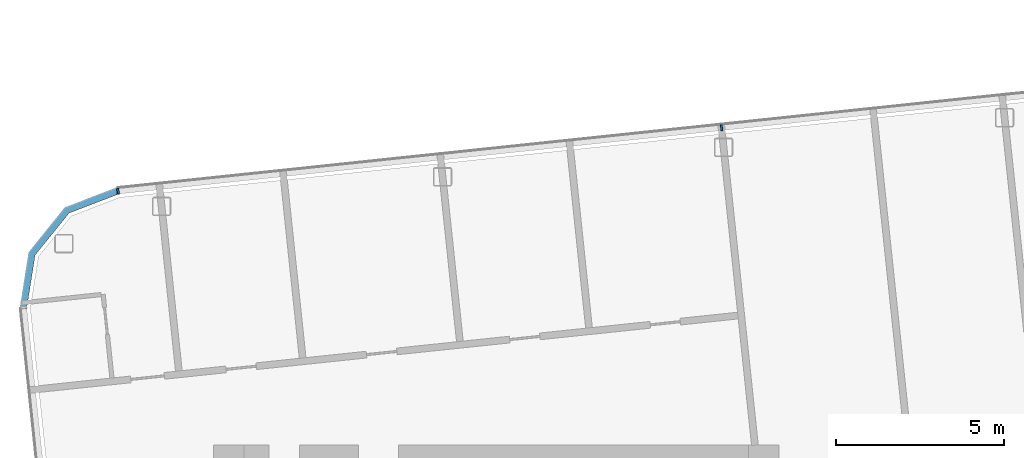
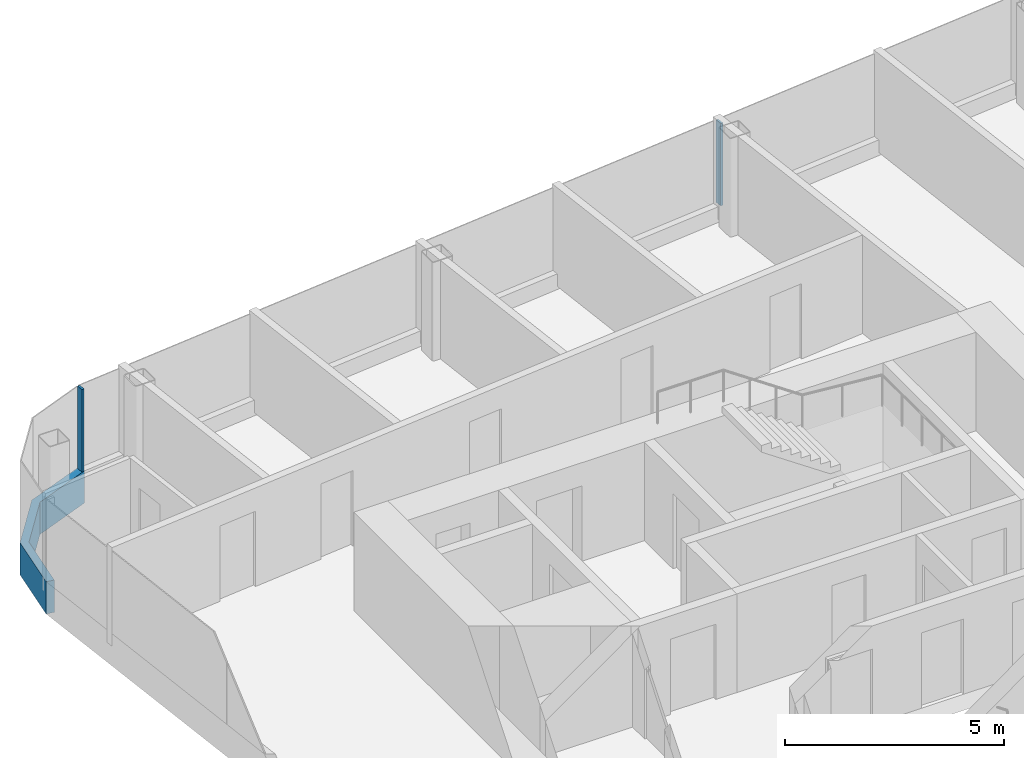
# One storey, part 8 of 27: 3 members, 2 elements without a shape of their own.
"""IFC4 building model written with IfcOpenShell, lengths in metres."""

from ifc_helpers import new_model, si_unit, direction, frame, origin, origin_2d, place, context, subcontext, project, spatial, polyline, rectangle, outline, extrude, material, layer, layer_set, material_profile, profile_set, type_object, element, aggregate, save


model = new_model("IFC4")

# Units and contexts
model_context = context("Model", 3, precision=1e-05, world=origin(), true_north=direction((0.0, 1.0)))
body_context = subcontext(model_context, "Body", "Model", "MODEL_VIEW")
ifc_project = project(units=[si_unit("LENGTHUNIT", "METRE"), si_unit("AREAUNIT", "SQUARE_METRE"), si_unit("VOLUMEUNIT", "CUBIC_METRE"), si_unit("PLANEANGLEUNIT", "RADIAN"), si_unit("MASSUNIT", "GRAM", prefix="KILO")], contexts=[model_context])

# Site, building, storey
site_placement = place(None, origin())
site = spatial("IfcSite", under=ifc_project, at=site_placement, CompositionType="ELEMENT")
building_placement = place(site_placement, origin())
building = spatial("IfcBuilding", under=site, at=building_placement, Name="Hakoniwa Tower and Hamabe Station Hall", CompositionType="ELEMENT")
storey_placement = place(building_placement, frame((0.0, 0.0, 242.199951171875)))
storey = spatial("IfcBuildingStorey", under=building, at=storey_placement, Name="L68", CompositionType="ELEMENT", Elevation=242.199951171875)

# Curtain wall, member
ifc_material_1 = material(Name="Dark low-e laminated glass", Category="glass")
ifc_layer = layer(ifc_material_1, 0.199951171875)
ifc_layer_set = layer_set([ifc_layer], Name="CW-1 UNITISED GUEST")
curtain_wall_type = type_object("IfcCurtainWallType", Name="CW-1 UNITISED GUEST", PredefinedType="NOTDEFINED", material=ifc_layer_set)
curtain_wall_1_placement = place(storey_placement, origin())
curtain_wall_1 = element("IfcCurtainWall", 1, at=curtain_wall_1_placement, inside=storey, type_object=curtain_wall_type, Name="CW-1 curtain wall", PredefinedType="NOTDEFINED")
ifc_material_2 = material(Name="Aluminium 6063-T5 black anodised", Category="aluminium")
ifc_material_profile_1 = material_profile(ifc_material_2, rectangle(XDim=0.199951171875, YDim=0.89990234375, at=origin_2d()), Name="CW SLAB-EDGE BAND 900X200")
ifc_profile_set_1 = profile_set([ifc_material_profile_1], Name="Aluminium 6063-T5 black anodised")
member_type_1 = type_object("IfcMemberType", Name="CW SLAB-EDGE BAND 900X200", PredefinedType="USERDEFINED", material=ifc_profile_set_1)
member_1_placement = place(storey_placement, frame((0.0, 0.0, -0.550048828125)))
member_1 = element("IfcMember", 2, at=member_1_placement, type_object=member_type_1, Name="CW-1 transom", ObjectType="TRANSOM", PredefinedType="USERDEFINED", context=body_context, shape_type="SweptSolid", body=[
    extrude(outline(polyline([(-36.45703125, 16.0634765625), (-38.0185546875, 15.464111328125), (-39.09716796875, 14.13232421875), (-39.35888671875, 12.47998046875), (-39.161376953125, 12.44873046875), (-38.907958984375, 14.048095703125), (-37.89697265625, 15.296630859375), (-36.38525390625, 15.876708984375), (-36.45703125, 16.0634765625)])), origin(), (0.0, 0.0, 1.0), 0.900146484375),
])
aggregate(curtain_wall_1, [member_1])

# Curtain wall, members
curtain_wall_2_placement = place(storey_placement, origin())
curtain_wall_2 = element("IfcCurtainWall", 3, at=curtain_wall_2_placement, inside=storey, type_object=curtain_wall_type, Name="CW-1 curtain wall", PredefinedType="NOTDEFINED")
ifc_material_3 = material(Name="Aluminium 6063-T5 black anodised", Category="aluminium")
ifc_material_profile_2 = material_profile(ifc_material_3, rectangle(XDim=0.06005859375, YDim=0.179931640625, at=origin_2d()), Name="CW-1 MULLION 60X180")
ifc_profile_set_2 = profile_set([ifc_material_profile_2], Name="Aluminium 6063-T5 black anodised")
member_type_2 = type_object("IfcMemberType", Name="CW-1 MULLION 60X180", PredefinedType="MULLION", material=ifc_profile_set_2)
member_2_placement = place(storey_placement, frame((-18.50390625, 17.831787109375, 0.35009765625), z_axis=(0.0, 0.0, 1.0), x_axis=(-0.994521895272, -0.104528464188, 0.0)))
member_2 = element("IfcMember", 4, at=member_2_placement, type_object=member_type_2, Name="CW-1 mullion", PredefinedType="MULLION", context=body_context, shape_type="SweptSolid", body=[
    extrude(rectangle(XDim=0.06005859375, YDim=0.179931640625, at=origin_2d()), origin(), (0.0, 0.0, 1.0), 2.300048828125),
])
member_3_placement = place(storey_placement, frame((-36.444580078125, 15.946044921875, 0.35009765625), z_axis=(0.0, 0.0, 1.0), x_axis=(-0.994521895272, -0.104528464188, 0.0)))
member_3 = element("IfcMember", 5, at=member_3_placement, type_object=member_type_2, Name="CW-1 mullion", PredefinedType="MULLION", context=body_context, shape_type="SweptSolid", body=[
    extrude(rectangle(XDim=0.06005859375, YDim=0.179931640625, at=origin_2d()), origin(), (0.0, 0.0, 1.0), 2.300048828125),
])
aggregate(curtain_wall_2, [member_2, member_3])

save(model, "model.ifc")
